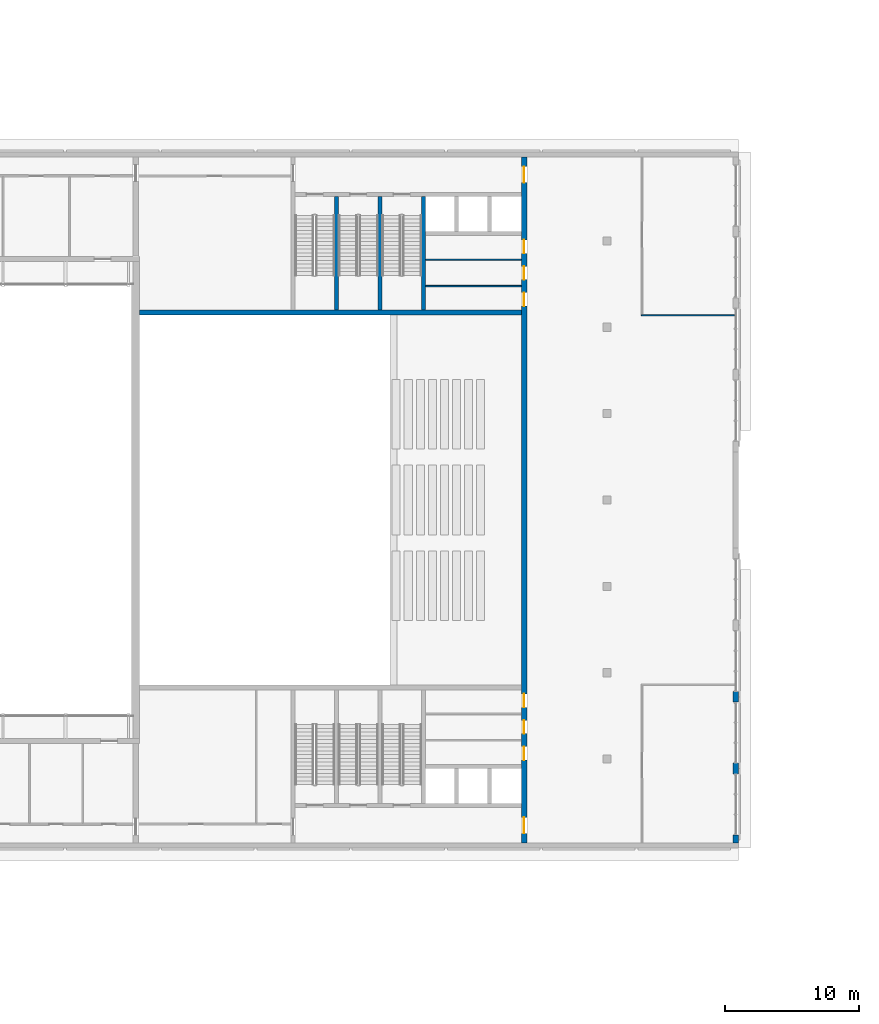
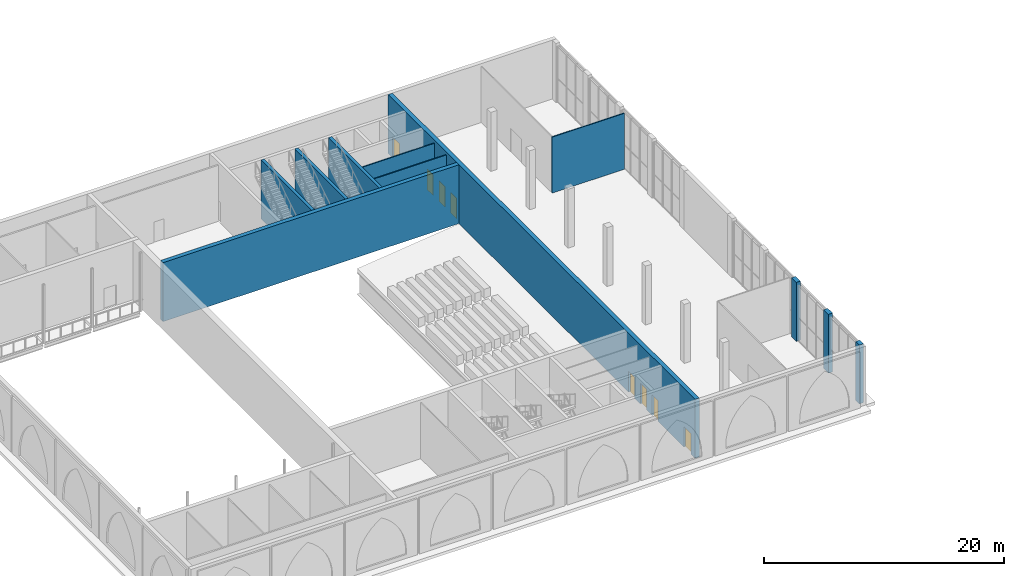
# One storey, part 18 of 74: 11 walls, 8 doors, 8 openings.
"""IFC4 building model written with IfcOpenShell, lengths in metres."""

from ifc_helpers import new_model, si_unit, direction, frame, frame_2d, origin, place, context, subcontext, project, spatial, rectangle, extrude, material, layer, layer_set, type_object, element, fill, save


model = new_model("IFC4")

# Units and contexts
model_context = context("Model", 3, precision=1e-05, world=origin(), true_north=direction((0.0, 1.0)))
body_context = subcontext(model_context, "Body", "Model", "MODEL_VIEW")
ifc_project = project(units=[si_unit("LENGTHUNIT", "METRE"), si_unit("AREAUNIT", "SQUARE_METRE"), si_unit("VOLUMEUNIT", "CUBIC_METRE"), si_unit("PLANEANGLEUNIT", "RADIAN"), si_unit("MASSUNIT", "GRAM", prefix="KILO")], contexts=[model_context])

# Site, building, storey
site_placement = place(None, origin())
site = spatial("IfcSite", under=ifc_project, at=site_placement, CompositionType="ELEMENT")
building_placement = place(site_placement, origin())
building = spatial("IfcBuilding", under=site, at=building_placement, Name="Noorbagh Ring Tower", CompositionType="ELEMENT")
storey_placement = place(building_placement, frame((0.0, 0.0, 7.5)))
storey = spatial("IfcBuildingStorey", under=building, at=storey_placement, Name="L01", CompositionType="ELEMENT", Elevation=7.5)

# Walls
ifc_material_1 = material(Name="Gypsum board on steel studs", Category="steel")
ifc_layer_1 = layer(ifc_material_1, 0.10009765625)
ifc_layer_set_1 = layer_set([ifc_layer_1], Name="Gypsum board on steel studs")
wall_type_1 = type_object("IfcWallType", Name="TH-PART-100", PredefinedType="PARTITIONING", material=ifc_layer_set_1)
wall_1_placement = place(storey_placement, frame((-102.25, 18.800048828125, 0.0), z_axis=(0.0, 0.0, 1.0), x_axis=(1.0, 0.0, 0.0)))
element("IfcWall", 1, at=wall_1_placement, inside=storey, type_object=wall_type_1, Name="L01/th-wall/051", PredefinedType="PARTITIONING", context=body_context, shape_type="SweptSolid", body=[
    extrude(rectangle(XDim=6.949951171875, YDim=0.10009765625, at=frame_2d((3.47509765625, 0.0))), origin(), (0.0, 0.0, 1.0), 5.699951171875),
])
for number, where, z_axis, x_axis, name in (
    (2, (-118.35009765625, 20.967041015625, 0.0), (0.0, 0.0, 1.0), (1.0, 0.0, 0.0), "L01/th-wall/052"),
    (3, (-118.35009765625, 22.93310546875, 0.0), (0.0, 0.0, 1.0), (1.0, 0.0, 0.0), "L01/th-wall/053"),
):
    element("IfcWall", number, at=place(storey_placement, frame(where, z_axis=z_axis, x_axis=x_axis)), inside=storey, type_object=wall_type_1, Name=name, PredefinedType="PARTITIONING", context=body_context, shape_type="SweptSolid", body=[
        extrude(rectangle(XDim=7.150146484375, YDim=0.10009765625, at=frame_2d((3.5751953125, 0.0))), origin(), (0.0, 0.0, 1.0), 5.699951171875),
    ])
ifc_material_2 = material(Name="Concrete C50/60", Category="concrete")
ifc_layer_2 = layer(ifc_material_2, 0.300048828125)
ifc_layer_set_2 = layer_set([ifc_layer_2], Name="Concrete C50/60")
wall_type_2 = type_object("IfcWallType", Name="TH-WALL-CORE", PredefinedType="SHEAR", material=ifc_layer_set_2)
for number, where, z_axis, x_axis, name in (
    (4, (-125.0, 19.199951171875, 0.0), (0.0, 0.0, 1.0), (0.0, 1.0, 0.0), "Stair wall"),
    (5, (-121.75, 19.199951171875, 0.0), (0.0, 0.0, 1.0), (0.0, 1.0, 0.0), "Stair wall"),
    (6, (-118.5, 19.199951171875, 0.0), (0.0, 0.0, 1.0), (0.0, 1.0, 0.0), "Stair wall"),
):
    element("IfcWall", number, at=place(storey_placement, frame(where, z_axis=z_axis, x_axis=x_axis)), inside=storey, type_object=wall_type_2, Name=name, PredefinedType="SHEAR", context=body_context, shape_type="SweptSolid", body=[
        extrude(rectangle(XDim=8.449951171875, YDim=0.300048828125, at=frame_2d((4.22509765625, 0.0))), origin(), (0.0, 0.0, 1.0), 6.0),
    ])
ifc_material_3 = material(Name="Concrete C50/60", Category="concrete")
ifc_layer_3 = layer(ifc_material_3, 0.39990234375)
ifc_layer_set_3 = layer_set([ifc_layer_3], Name="Concrete C50/60")
wall_type_3 = type_object("IfcWallType", Name="TH-WALL-HALL", PredefinedType="SOLIDWALL", material=ifc_layer_set_3)
wall_2_placement = place(storey_placement, frame((-139.699951171875, 19.0, 0.0), z_axis=(0.0, 0.0, 1.0), x_axis=(1.0, 0.0, 0.0)))
element("IfcWall", 7, at=wall_2_placement, inside=storey, type_object=wall_type_3, Name="Auditorium wall north", PredefinedType="SOLIDWALL", context=body_context, shape_type="SweptSolid", body=[
    extrude(rectangle(XDim=28.5, YDim=0.39990234375, at=frame_2d((14.25, 0.0))), origin(), (0.0, 0.0, 1.0), 6.0),
])

# Wall, openings, doors
wall_3_placement = place(storey_placement, frame((-111.0, -20.60009765625, 0.0), z_axis=(0.0, 0.0, 1.0), x_axis=(0.0, 1.0, 0.0)))
wall_3 = element("IfcWall", 8, at=wall_3_placement, inside=storey, type_object=wall_type_3, Name="Auditorium rear wall", PredefinedType="SOLIDWALL", context=body_context, shape_type="SweptSolid", body=[
    extrude(rectangle(XDim=51.2001953125, YDim=0.39990234375, at=frame_2d((25.60009765625, 0.0))), origin(), (0.0, 0.0, 1.0), 6.0),
])
opening_1_placement = place(wall_3_placement, frame((0.699951171875, 0.0, 0.0)))
opening_1 = element("IfcOpeningElement", 9, at=opening_1_placement, cuts=wall_3, Name="Opening TL01-D27", PredefinedType="OPENING", context=body_context, shape_type="SweptSolid", body=[
    extrude(rectangle(XDim=1.199951171875, YDim=2.10009765625, at=frame_2d((0.60009765625, 1.050048828125))), frame((0.0, 0.2099609375, 0.0), z_axis=(0.0, -1.0, 0.0), x_axis=(1.0, 0.0, 0.0)), (0.0, 0.0, 1.0), 0.419921875),
])
opening_2_placement = place(wall_3_placement, frame((6.18408203125, 0.0, 0.0)))
opening_2 = element("IfcOpeningElement", 10, at=opening_2_placement, cuts=wall_3, Name="Opening TL01-D28", PredefinedType="OPENING", context=body_context, shape_type="SweptSolid", body=[
    extrude(rectangle(XDim=1.0, YDim=2.10009765625, at=frame_2d((0.5, 1.050048828125))), frame((0.0, 0.2099609375, 0.0), z_axis=(0.0, -1.0, 0.0), x_axis=(1.0, 0.0, 0.0)), (0.0, 0.0, 1.0), 0.419921875),
])
opening_3_placement = place(wall_3_placement, frame((8.14990234375, 0.0, 0.0)))
opening_3 = element("IfcOpeningElement", 11, at=opening_3_placement, cuts=wall_3, Name="Opening TL01-D29", PredefinedType="OPENING", context=body_context, shape_type="SweptSolid", body=[
    extrude(rectangle(XDim=1.0, YDim=2.10009765625, at=frame_2d((0.5, 1.050048828125))), frame((0.0, 0.2099609375, 0.0), z_axis=(0.0, -1.0, 0.0), x_axis=(1.0, 0.0, 0.0)), (0.0, 0.0, 1.0), 0.419921875),
])
opening_4_placement = place(wall_3_placement, frame((10.116943359375, 0.0, 0.0)))
opening_4 = element("IfcOpeningElement", 12, at=opening_4_placement, cuts=wall_3, Name="Opening TL01-D30", PredefinedType="OPENING", context=body_context, shape_type="SweptSolid", body=[
    extrude(rectangle(XDim=1.0, YDim=2.10009765625, at=frame_2d((0.5, 1.050048828125))), frame((0.0, 0.2099609375, 0.0), z_axis=(0.0, -1.0, 0.0), x_axis=(1.0, 0.0, 0.0)), (0.0, 0.0, 1.0), 0.419921875),
])
opening_5_placement = place(wall_3_placement, frame((49.300048828125, 0.0, 0.0)))
opening_5 = element("IfcOpeningElement", 13, at=opening_5_placement, cuts=wall_3, Name="Opening TL01-D31", PredefinedType="OPENING", context=body_context, shape_type="SweptSolid", body=[
    extrude(rectangle(XDim=1.199951171875, YDim=2.10009765625, at=frame_2d((0.60009765625, 1.050048828125))), frame((0.0, 0.2099609375, 0.0), z_axis=(0.0, -1.0, 0.0), x_axis=(1.0, 0.0, 0.0)), (0.0, 0.0, 1.0), 0.419921875),
])
opening_6_placement = place(wall_3_placement, frame((44.01708984375, 0.0, 0.0)))
opening_6 = element("IfcOpeningElement", 14, at=opening_6_placement, cuts=wall_3, Name="Opening TL01-D32", PredefinedType="OPENING", context=body_context, shape_type="SweptSolid", body=[
    extrude(rectangle(XDim=1.0, YDim=2.10009765625, at=frame_2d((0.5, 1.050048828125))), frame((0.0, 0.2099609375, 0.0), z_axis=(0.0, -1.0, 0.0), x_axis=(1.0, 0.0, 0.0)), (0.0, 0.0, 1.0), 0.419921875),
])
opening_7_placement = place(wall_3_placement, frame((42.050048828125, 0.0, 0.0)))
opening_7 = element("IfcOpeningElement", 15, at=opening_7_placement, cuts=wall_3, Name="Opening TL01-D33", PredefinedType="OPENING", context=body_context, shape_type="SweptSolid", body=[
    extrude(rectangle(XDim=1.0, YDim=2.10009765625, at=frame_2d((0.5, 1.050048828125))), frame((0.0, 0.2099609375, 0.0), z_axis=(0.0, -1.0, 0.0), x_axis=(1.0, 0.0, 0.0)), (0.0, 0.0, 1.0), 0.419921875),
])
opening_8_placement = place(wall_3_placement, frame((40.083984375, 0.0, 0.0)))
opening_8 = element("IfcOpeningElement", 16, at=opening_8_placement, cuts=wall_3, Name="Opening TL01-D34", PredefinedType="OPENING", context=body_context, shape_type="SweptSolid", body=[
    extrude(rectangle(XDim=1.0, YDim=2.10009765625, at=frame_2d((0.5, 1.050048828125))), frame((0.0, 0.2099609375, 0.0), z_axis=(0.0, -1.0, 0.0), x_axis=(1.0, 0.0, 0.0)), (0.0, 0.0, 1.0), 0.419921875),
])
ifc_material_4 = material(Name="Timber", Category="wood")
door_type_1 = type_object("IfcDoorType", Name="TH-DOOR-1000", OperationType="SINGLE_SWING_LEFT", PredefinedType="DOOR", material=ifc_material_4)
door_1_placement = place(opening_2_placement, origin())
door_1 = element("IfcDoor", 17, at=door_1_placement, inside=storey, type_object=door_type_1, Name="Door Circle foyer to Ladies WC TL01-D28", OperationType="SINGLE_SWING_RIGHT", OverallHeight=2.10009765625, OverallWidth=1.0, PredefinedType="DOOR", context=body_context, shape_type="SweptSolid", body=[
    extrude(rectangle(XDim=1.0, YDim=2.10009765625, at=frame_2d((0.5, 1.050048828125))), frame((0.0, 0.02490234375, 0.0), z_axis=(0.0, -1.0, 0.0), x_axis=(1.0, 0.0, 0.0)), (0.0, 0.0, 1.0), 0.050048828125),
])
fill(opening_2, door_1)
door_2_placement = place(opening_3_placement, origin())
door_2 = element("IfcDoor", 18, at=door_2_placement, inside=storey, type_object=door_type_1, Name="Door Circle foyer to Gents WC TL01-D29", OperationType="SINGLE_SWING_RIGHT", OverallHeight=2.10009765625, OverallWidth=1.0, PredefinedType="DOOR", context=body_context, shape_type="SweptSolid", body=[
    extrude(rectangle(XDim=1.0, YDim=2.10009765625, at=frame_2d((0.5, 1.050048828125))), frame((0.0, 0.02490234375, 0.0), z_axis=(0.0, -1.0, 0.0), x_axis=(1.0, 0.0, 0.0)), (0.0, 0.0, 1.0), 0.050048828125),
])
fill(opening_3, door_2)
door_3_placement = place(opening_4_placement, origin())
door_3 = element("IfcDoor", 19, at=door_3_placement, inside=storey, type_object=door_type_1, Name="Door Circle foyer to Accessible WC TL01-D30", OperationType="SINGLE_SWING_RIGHT", OverallHeight=2.10009765625, OverallWidth=1.0, PredefinedType="DOOR", context=body_context, shape_type="SweptSolid", body=[
    extrude(rectangle(XDim=1.0, YDim=2.10009765625, at=frame_2d((0.5, 1.050048828125))), frame((0.0, 0.02490234375, 0.0), z_axis=(0.0, -1.0, 0.0), x_axis=(1.0, 0.0, 0.0)), (0.0, 0.0, 1.0), 0.050048828125),
])
fill(opening_4, door_3)
door_4_placement = place(opening_6_placement, origin())
door_4 = element("IfcDoor", 20, at=door_4_placement, inside=storey, type_object=door_type_1, Name="Door Circle foyer to Gents WC TL01-D32", OperationType="SINGLE_SWING_LEFT", OverallHeight=2.10009765625, OverallWidth=1.0, PredefinedType="DOOR", context=body_context, shape_type="SweptSolid", body=[
    extrude(rectangle(XDim=1.0, YDim=2.10009765625, at=frame_2d((0.5, 1.050048828125))), frame((0.0, 0.02490234375, 0.0), z_axis=(0.0, -1.0, 0.0), x_axis=(1.0, 0.0, 0.0)), (0.0, 0.0, 1.0), 0.050048828125),
])
fill(opening_6, door_4)
door_5_placement = place(opening_7_placement, origin())
door_5 = element("IfcDoor", 21, at=door_5_placement, inside=storey, type_object=door_type_1, Name="Door Circle foyer to Ladies WC TL01-D33", OperationType="SINGLE_SWING_LEFT", OverallHeight=2.10009765625, OverallWidth=1.0, PredefinedType="DOOR", context=body_context, shape_type="SweptSolid", body=[
    extrude(rectangle(XDim=1.0, YDim=2.10009765625, at=frame_2d((0.5, 1.050048828125))), frame((0.0, 0.02490234375, 0.0), z_axis=(0.0, -1.0, 0.0), x_axis=(1.0, 0.0, 0.0)), (0.0, 0.0, 1.0), 0.050048828125),
])
fill(opening_7, door_5)
door_6_placement = place(opening_8_placement, origin())
door_6 = element("IfcDoor", 22, at=door_6_placement, inside=storey, type_object=door_type_1, Name="Door Circle foyer to Accessible WC TL01-D34", OperationType="SINGLE_SWING_LEFT", OverallHeight=2.10009765625, OverallWidth=1.0, PredefinedType="DOOR", context=body_context, shape_type="SweptSolid", body=[
    extrude(rectangle(XDim=1.0, YDim=2.10009765625, at=frame_2d((0.5, 1.050048828125))), frame((0.0, 0.02490234375, 0.0), z_axis=(0.0, -1.0, 0.0), x_axis=(1.0, 0.0, 0.0)), (0.0, 0.0, 1.0), 0.050048828125),
])
fill(opening_8, door_6)
ifc_material_5 = material(Name="Steel", Category="steel")
door_type_2 = type_object("IfcDoorType", Name="TH-DOOR-FIRE-1200", OperationType="SINGLE_SWING_LEFT", PredefinedType="DOOR", material=ifc_material_5)
door_7_placement = place(opening_1_placement, origin())
door_7 = element("IfcDoor", 23, at=door_7_placement, inside=storey, type_object=door_type_2, Name="Door Circle foyer to Exit lobby TL01-D27", OperationType="SINGLE_SWING_RIGHT", OverallHeight=2.10009765625, OverallWidth=1.199951171875, PredefinedType="DOOR", context=body_context, shape_type="SweptSolid", body=[
    extrude(rectangle(XDim=1.199951171875, YDim=2.10009765625, at=frame_2d((0.60009765625, 1.050048828125))), frame((0.0, 0.02490234375, 0.0), z_axis=(0.0, -1.0, 0.0), x_axis=(1.0, 0.0, 0.0)), (0.0, 0.0, 1.0), 0.050048828125),
])
fill(opening_1, door_7)
door_8_placement = place(opening_5_placement, origin())
door_8 = element("IfcDoor", 24, at=door_8_placement, inside=storey, type_object=door_type_2, Name="Door Circle foyer to Exit lobby TL01-D31", OperationType="SINGLE_SWING_LEFT", OverallHeight=2.10009765625, OverallWidth=1.199951171875, PredefinedType="DOOR", context=body_context, shape_type="SweptSolid", body=[
    extrude(rectangle(XDim=1.199951171875, YDim=2.10009765625, at=frame_2d((0.60009765625, 1.050048828125))), frame((0.0, 0.02490234375, 0.0), z_axis=(0.0, -1.0, 0.0), x_axis=(1.0, 0.0, 0.0)), (0.0, 0.0, 1.0), 0.050048828125),
])
fill(opening_5, door_8)

# Walls
ifc_material_6 = material(Name="Concrete C40/50", Category="concrete")
ifc_layer_4 = layer(ifc_material_6, 0.39990234375)
ifc_layer_set_4 = layer_set([ifc_layer_4], Name="Concrete C40/50")
wall_type_4 = type_object("IfcWallType", Name="TH-WALL-OUTER", PredefinedType="SOLIDWALL", material=ifc_layer_set_4)
wall_4_placement = place(storey_placement, frame((-95.199951171875, -20.60009765625, 0.0), z_axis=(0.0, 0.0, 1.0), x_axis=(0.0, 1.0, 0.0)))
element("IfcWall", 25, at=wall_4_placement, inside=storey, type_object=wall_type_4, Name="Foyer pier", PredefinedType="SOLIDWALL", context=body_context, shape_type="SweptSolid", body=[
    extrude(rectangle(XDim=0.60009765625, YDim=0.39990234375, at=frame_2d((0.300048828125, 0.0))), origin(), (0.0, 0.0, 1.0), 6.0),
])
for number, where, z_axis, x_axis, name in (
    (26, (-95.199951171875, -15.449951171875, 0.0), (0.0, 0.0, 1.0), (0.0, 1.0, 0.0), "Foyer pier"),
    (27, (-95.199951171875, -10.10009765625, 0.0), (0.0, 0.0, 1.0), (0.0, 1.0, 0.0), "Foyer pier"),
):
    element("IfcWall", number, at=place(storey_placement, frame(where, z_axis=z_axis, x_axis=x_axis)), inside=storey, type_object=wall_type_4, Name=name, PredefinedType="SOLIDWALL", context=body_context, shape_type="SweptSolid", body=[
        extrude(rectangle(XDim=0.800048828125, YDim=0.39990234375, at=frame_2d((0.39990234375, 0.0))), origin(), (0.0, 0.0, 1.0), 6.0),
    ])

save(model, "model.ifc")
